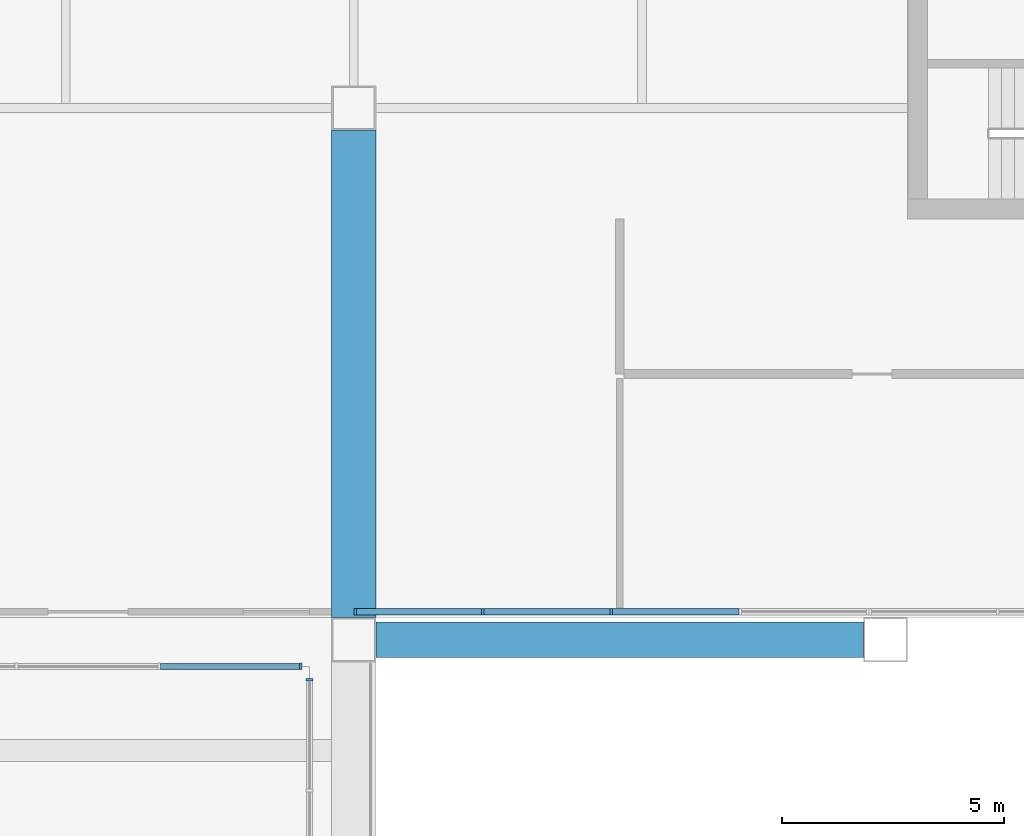
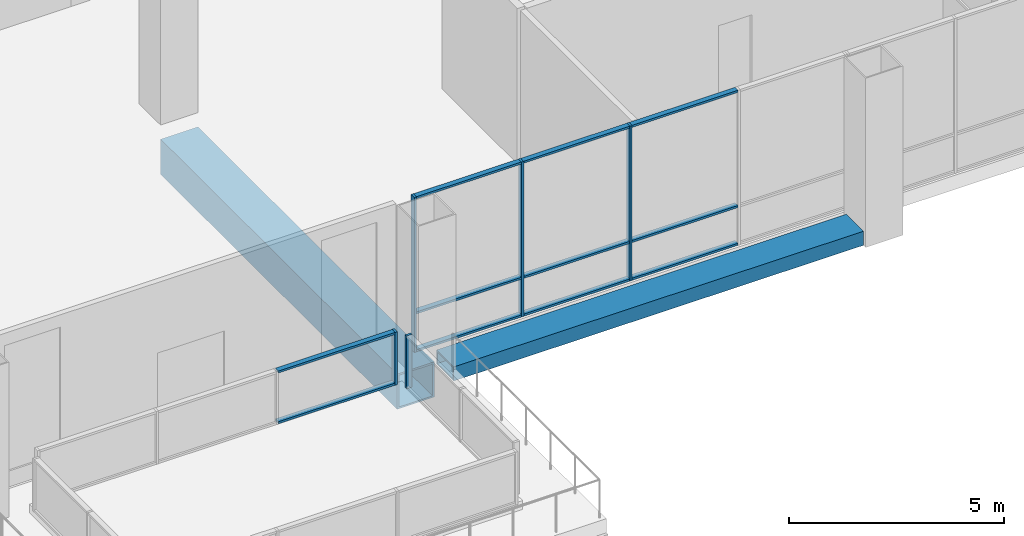
# One storey, part 3 of 15: 16 members, 2 beams, 3 elements without a shape of their own.
"""IFC4 building model written with IfcOpenShell, lengths in metres."""

from ifc_helpers import new_model, si_unit, direction, frame, origin, origin_2d, place, context, subcontext, project, spatial, rectangle, hollow_rectangle, extrude, material, material_profile, profile_set, type_object, element, aggregate, save


model = new_model("IFC4")

# Units and contexts
model_context = context("Model", 3, precision=1e-05, world=origin(), true_north=direction((0.0, 1.0)))
body_context = subcontext(model_context, "Body", "Model", "MODEL_VIEW")
ifc_project = project(units=[si_unit("LENGTHUNIT", "METRE"), si_unit("AREAUNIT", "SQUARE_METRE"), si_unit("VOLUMEUNIT", "CUBIC_METRE"), si_unit("PLANEANGLEUNIT", "RADIAN"), si_unit("MASSUNIT", "GRAM", prefix="KILO")], contexts=[model_context])

# Site, building, storey
site_placement = place(None, origin())
site = spatial("IfcSite", under=ifc_project, at=site_placement, CompositionType="ELEMENT")
building_placement = place(site_placement, origin())
building = spatial("IfcBuilding", under=site, at=building_placement, Name="Kitamizu Gate Tower and Museum", CompositionType="ELEMENT")
storey_placement = place(building_placement, frame((0.0, 0.0, 273.14990234375)))
storey = spatial("IfcBuildingStorey", under=building, at=storey_placement, Name="L74", CompositionType="ELEMENT", Elevation=273.14990234375)

# Beam
ifc_material_1 = material(Name="Steel SM490A bronze coated", Category="steel")
ifc_material_profile_1 = material_profile(ifc_material_1, hollow_rectangle(XDim=0.800048828125, YDim=0.39990234375, WallThickness=0.0400390625, at=origin_2d()), Name="BOX 800x400x40")
ifc_profile_set_1 = profile_set([ifc_material_profile_1], Name="Steel SM490A bronze coated")
beam_type_1 = type_object("IfcBeamType", Name="Exoskeleton spandrel beam SB1 BOX 800x400x40", PredefinedType="SPANDREL", material=ifc_profile_set_1)
beam_1_placement = place(storey_placement, frame((36.5, 12.0, -0.199951171875), z_axis=(1.0, 0.0, 0.0), x_axis=(0.0, 1.0, 0.0)))
element("IfcBeam", 1, at=beam_1_placement, inside=storey, type_object=beam_type_1, Name="Exoskeleton spandrel beam south 36 L74", PredefinedType="SPANDREL", context=body_context, shape_type="SweptSolid", body=[
    extrude(hollow_rectangle(XDim=0.800048828125, YDim=0.39990234375, WallThickness=0.0400390625, at=origin_2d()), origin(), (0.0, 0.0, 1.0), 11.0),
])

# Curtain wall, members
ifc_material_2 = material(Name="Bronze anodised aluminium frame, insulated panels", Category="aluminium")
curtain_wall_type_1 = type_object("IfcCurtainWallType", Name="CURTAIN WALL TYPE C SKY AMENITY INSULATED", PredefinedType="NOTDEFINED", material=ifc_material_2)
curtain_wall_1_placement = place(storey_placement, origin())
curtain_wall_1 = element("IfcCurtainWall", 2, at=curtain_wall_1_placement, inside=storey, type_object=curtain_wall_type_1, Name="Curtain wall CW-CI south L74 part 1", PredefinedType="NOTDEFINED")
ifc_material_3 = material(Name="Bronze anodised aluminium", Category="aluminium")
ifc_material_profile_2 = material_profile(ifc_material_3, rectangle(XDim=0.06005859375, YDim=0.14990234375, at=origin_2d()), Name="AL 60X150")
ifc_profile_set_2 = profile_set([ifc_material_profile_2], Name="Bronze anodised aluminium")
member_type_1 = type_object("IfcMemberType", Name="MULLION 60 X 150 TYPE C", PredefinedType="MULLION", material=ifc_profile_set_2)
member_1_placement = place(storey_placement, frame((36.030029296875, 12.635009765625, 0.0), z_axis=(0.0, 0.0, 1.0), x_axis=(1.0, 0.0, 0.0)))
member_1 = element("IfcMember", 3, at=member_1_placement, type_object=member_type_1, Name="CW-CI mullion 1", PredefinedType="MULLION", context=body_context, shape_type="SweptSolid", body=[
    extrude(rectangle(XDim=0.06005859375, YDim=0.14990234375, at=origin_2d()), origin(), (0.0, 0.0, 1.0), 4.400146484375),
])
member_2_placement = place(storey_placement, frame((38.90673828125, 12.635009765625, 0.0), z_axis=(0.0, 0.0, 1.0), x_axis=(1.0, 0.0, 0.0)))
member_2 = element("IfcMember", 4, at=member_2_placement, type_object=member_type_1, Name="CW-CI mullion 2", PredefinedType="MULLION", context=body_context, shape_type="SweptSolid", body=[
    extrude(rectangle(XDim=0.06005859375, YDim=0.14990234375, at=origin_2d()), origin(), (0.0, 0.0, 1.0), 4.400146484375),
])
member_3_placement = place(storey_placement, frame((41.813232421875, 12.635009765625, 0.0), z_axis=(0.0, 0.0, 1.0), x_axis=(1.0, 0.0, 0.0)))
member_3 = element("IfcMember", 5, at=member_3_placement, type_object=member_type_1, Name="CW-CI mullion 3", PredefinedType="MULLION", context=body_context, shape_type="SweptSolid", body=[
    extrude(rectangle(XDim=0.06005859375, YDim=0.14990234375, at=origin_2d()), origin(), (0.0, 0.0, 1.0), 4.400146484375),
])

# Curtain wall, member
curtain_wall_2_placement = place(storey_placement, origin())
curtain_wall_2 = element("IfcCurtainWall", 6, at=curtain_wall_2_placement, inside=storey, type_object=curtain_wall_type_1, Name="Curtain wall CW-CI pool side N L74", PredefinedType="NOTDEFINED")
member_4_placement = place(storey_placement, frame((34.800048828125, 11.39990234375, 0.25), z_axis=(0.0, 0.0, 1.0), x_axis=(1.0, 0.0, 0.0)))
member_4 = element("IfcMember", 7, at=member_4_placement, type_object=member_type_1, Name="CW-CI mullion 4", PredefinedType="MULLION", context=body_context, shape_type="SweptSolid", body=[
    extrude(rectangle(XDim=0.06005859375, YDim=0.14990234375, at=origin_2d()), origin(), (0.0, 0.0, 1.0), 1.5),
])

ifc_material_4 = material(Name="Bronze anodised aluminium frame, tinted triple glazing", Category="aluminium")
curtain_wall_type_2 = type_object("IfcCurtainWallType", Name="CURTAIN WALL TYPE C SKY AMENITY", PredefinedType="NOTDEFINED", material=ifc_material_4)
curtain_wall_3_placement = place(storey_placement, origin())
curtain_wall_3 = element("IfcCurtainWall", 8, at=curtain_wall_3_placement, inside=storey, type_object=curtain_wall_type_2, Name="Curtain wall CW-C pool side E L74", PredefinedType="NOTDEFINED")
member_5_placement = place(storey_placement, frame((35.0, 11.10009765625, 0.25), z_axis=(0.0, 0.0, 1.0), x_axis=(0.0, 1.0, 0.0)))
member_5 = element("IfcMember", 9, at=member_5_placement, type_object=member_type_1, Name="CW-C mullion 3", PredefinedType="MULLION", context=body_context, shape_type="SweptSolid", body=[
    extrude(rectangle(XDim=0.06005859375, YDim=0.14990234375, at=origin_2d()), origin(), (0.0, 0.0, 1.0), 1.5),
])
aggregate(curtain_wall_3, [member_5])

# Beam
ifc_material_5 = material(Name="Steel SM490A bronze coated", Category="steel")
ifc_material_profile_3 = material_profile(ifc_material_5, hollow_rectangle(XDim=1.0, YDim=1.0, WallThickness=0.050048828125, at=origin_2d()), Name="BOX 1000x1000x50")
ifc_profile_set_3 = profile_set([ifc_material_profile_3], Name="Steel SM490A bronze coated")
beam_type_2 = type_object("IfcBeamType", Name="Pool girder PG1 BOX 1000x1000x50", PredefinedType="BEAM", material=ifc_profile_set_3)
beam_2_placement = place(storey_placement, frame((36.0, 12.5, -0.89990234375), z_axis=(0.0, 1.0, 0.0), x_axis=(-1.0, 0.0, 0.0)))
element("IfcBeam", 10, at=beam_2_placement, inside=storey, type_object=beam_type_2, Name="Pool girder E back-span L74", PredefinedType="BEAM", context=body_context, shape_type="SweptSolid", body=[
    extrude(hollow_rectangle(XDim=1.0, YDim=1.0, WallThickness=0.050048828125, at=origin_2d()), origin(), (0.0, 0.0, 1.0), 11.0),
])

# Member
ifc_material_6 = material(Name="Bronze anodised aluminium", Category="aluminium")
ifc_material_profile_4 = material_profile(ifc_material_6, rectangle(XDim=0.139892578125, YDim=0.06005859375, at=origin_2d()), Name="AL 60X140")
ifc_profile_set_4 = profile_set([ifc_material_profile_4], Name="Bronze anodised aluminium")
member_type_2 = type_object("IfcMemberType", Name="TRANSOM 60 X 140 TYPE C", PredefinedType="USERDEFINED", material=ifc_profile_set_4)
member_6_placement = place(storey_placement, frame((36.06005859375, 12.635009765625, 0.030029296875), z_axis=(1.0, 0.0, 0.0), x_axis=(0.0, 1.0, 0.0)))
member_6 = element("IfcMember", 11, at=member_6_placement, type_object=member_type_2, Name="CW-CI transom 1.1", ObjectType="TRANSOM", PredefinedType="USERDEFINED", context=body_context, shape_type="SweptSolid", body=[
    extrude(rectangle(XDim=0.139892578125, YDim=0.06005859375, at=origin_2d()), origin(), (0.0, 0.0, 1.0), 2.816650390625),
])

member_7_placement = place(storey_placement, frame((36.06005859375, 12.635009765625, 1.10009765625), z_axis=(1.0, 0.0, 0.0), x_axis=(0.0, 1.0, 0.0)))
member_7 = element("IfcMember", 12, at=member_7_placement, type_object=member_type_2, Name="CW-CI transom 1.2", ObjectType="TRANSOM", PredefinedType="USERDEFINED", context=body_context, shape_type="SweptSolid", body=[
    extrude(rectangle(XDim=0.139892578125, YDim=0.06005859375, at=origin_2d()), origin(), (0.0, 0.0, 1.0), 2.816650390625),
])

member_8_placement = place(storey_placement, frame((36.06005859375, 12.635009765625, 4.3701171875), z_axis=(1.0, 0.0, 0.0), x_axis=(0.0, 1.0, 0.0)))
member_8 = element("IfcMember", 13, at=member_8_placement, type_object=member_type_2, Name="CW-CI transom 1.3", ObjectType="TRANSOM", PredefinedType="USERDEFINED", context=body_context, shape_type="SweptSolid", body=[
    extrude(rectangle(XDim=0.139892578125, YDim=0.06005859375, at=origin_2d()), origin(), (0.0, 0.0, 1.0), 2.816650390625),
])

member_9_placement = place(storey_placement, frame((38.936767578125, 12.635009765625, 0.030029296875), z_axis=(1.0, 0.0, 0.0), x_axis=(0.0, 1.0, 0.0)))
member_9 = element("IfcMember", 14, at=member_9_placement, type_object=member_type_2, Name="CW-CI transom 2.1", ObjectType="TRANSOM", PredefinedType="USERDEFINED", context=body_context, shape_type="SweptSolid", body=[
    extrude(rectangle(XDim=0.139892578125, YDim=0.06005859375, at=origin_2d()), origin(), (0.0, 0.0, 1.0), 2.8466796875),
])

member_10_placement = place(storey_placement, frame((38.936767578125, 12.635009765625, 1.10009765625), z_axis=(1.0, 0.0, 0.0), x_axis=(0.0, 1.0, 0.0)))
member_10 = element("IfcMember", 15, at=member_10_placement, type_object=member_type_2, Name="CW-CI transom 2.2", ObjectType="TRANSOM", PredefinedType="USERDEFINED", context=body_context, shape_type="SweptSolid", body=[
    extrude(rectangle(XDim=0.139892578125, YDim=0.06005859375, at=origin_2d()), origin(), (0.0, 0.0, 1.0), 2.8466796875),
])

member_11_placement = place(storey_placement, frame((38.936767578125, 12.635009765625, 4.3701171875), z_axis=(1.0, 0.0, 0.0), x_axis=(0.0, 1.0, 0.0)))
member_11 = element("IfcMember", 16, at=member_11_placement, type_object=member_type_2, Name="CW-CI transom 2.3", ObjectType="TRANSOM", PredefinedType="USERDEFINED", context=body_context, shape_type="SweptSolid", body=[
    extrude(rectangle(XDim=0.139892578125, YDim=0.06005859375, at=origin_2d()), origin(), (0.0, 0.0, 1.0), 2.8466796875),
])

member_12_placement = place(storey_placement, frame((41.84326171875, 12.635009765625, 0.030029296875), z_axis=(1.0, 0.0, 0.0), x_axis=(0.0, 1.0, 0.0)))
member_12 = element("IfcMember", 17, at=member_12_placement, type_object=member_type_2, Name="CW-CI transom 3.1", ObjectType="TRANSOM", PredefinedType="USERDEFINED", context=body_context, shape_type="SweptSolid", body=[
    extrude(rectangle(XDim=0.139892578125, YDim=0.06005859375, at=origin_2d()), origin(), (0.0, 0.0, 1.0), 2.8466796875),
])

member_13_placement = place(storey_placement, frame((41.84326171875, 12.635009765625, 1.10009765625), z_axis=(1.0, 0.0, 0.0), x_axis=(0.0, 1.0, 0.0)))
member_13 = element("IfcMember", 18, at=member_13_placement, type_object=member_type_2, Name="CW-CI transom 3.2", ObjectType="TRANSOM", PredefinedType="USERDEFINED", context=body_context, shape_type="SweptSolid", body=[
    extrude(rectangle(XDim=0.139892578125, YDim=0.06005859375, at=origin_2d()), origin(), (0.0, 0.0, 1.0), 2.8466796875),
])

member_14_placement = place(storey_placement, frame((41.84326171875, 12.635009765625, 4.3701171875), z_axis=(1.0, 0.0, 0.0), x_axis=(0.0, 1.0, 0.0)))
member_14 = element("IfcMember", 19, at=member_14_placement, type_object=member_type_2, Name="CW-CI transom 3.3", ObjectType="TRANSOM", PredefinedType="USERDEFINED", context=body_context, shape_type="SweptSolid", body=[
    extrude(rectangle(XDim=0.139892578125, YDim=0.06005859375, at=origin_2d()), origin(), (0.0, 0.0, 1.0), 2.8466796875),
])

aggregate(curtain_wall_1, [member_1, member_2, member_3, member_6, member_7, member_8, member_9, member_10, member_11, member_12, member_13, member_14])

member_15_placement = place(storey_placement, frame((31.639892578125, 11.39990234375, 0.280029296875), z_axis=(1.0, 0.0, 0.0), x_axis=(0.0, 1.0, 0.0)))
member_15 = element("IfcMember", 20, at=member_15_placement, type_object=member_type_2, Name="CW-CI transom 3.1", ObjectType="TRANSOM", PredefinedType="USERDEFINED", context=body_context, shape_type="SweptSolid", body=[
    extrude(rectangle(XDim=0.139892578125, YDim=0.06005859375, at=origin_2d()), origin(), (0.0, 0.0, 1.0), 3.130126953125),
])

member_16_placement = place(storey_placement, frame((31.639892578125, 11.39990234375, 1.72021484375), z_axis=(1.0, 0.0, 0.0), x_axis=(0.0, 1.0, 0.0)))
member_16 = element("IfcMember", 21, at=member_16_placement, type_object=member_type_2, Name="CW-CI transom 3.2", ObjectType="TRANSOM", PredefinedType="USERDEFINED", context=body_context, shape_type="SweptSolid", body=[
    extrude(rectangle(XDim=0.139892578125, YDim=0.06005859375, at=origin_2d()), origin(), (0.0, 0.0, 1.0), 3.130126953125),
])

aggregate(curtain_wall_2, [member_4, member_15, member_16])

save(model, "model.ifc")
